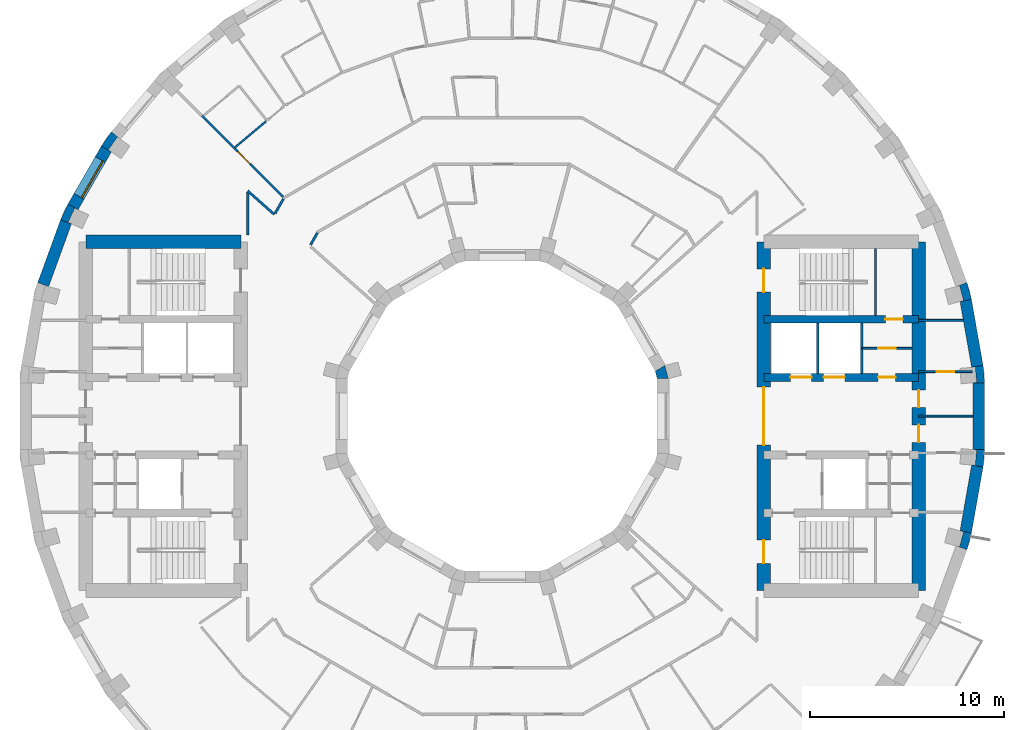
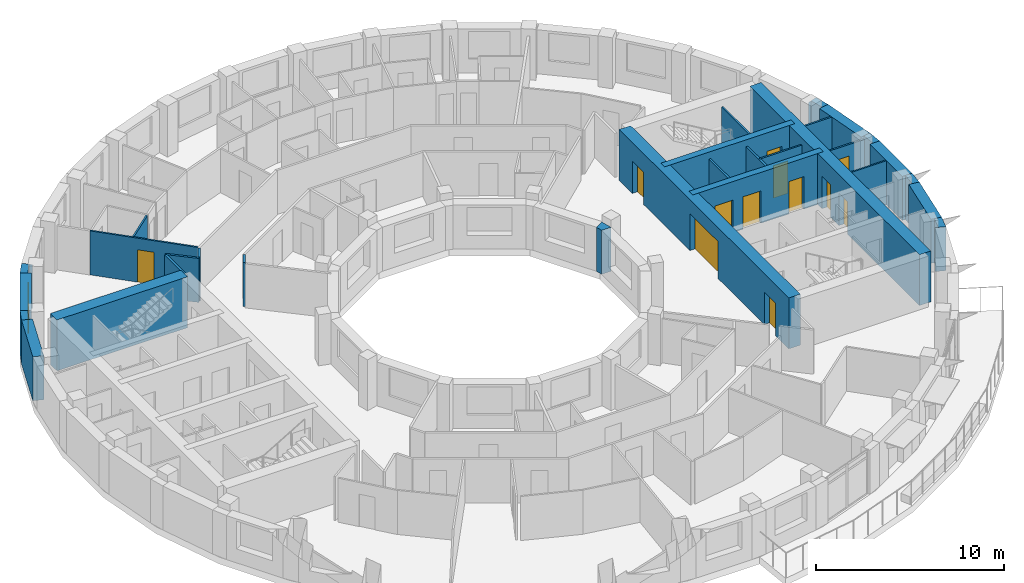
# One storey, part 10 of 15: 30 walls, 12 doors, 1 window, 13 openings.
"""IFC4 building model written with IfcOpenShell, lengths in metres."""

from ifc_helpers import new_model, si_unit, direction, frame, frame_2d, origin, place, context, subcontext, project, spatial, polyline, rectangle, outline, extrude, material, layer, layer_set, type_object, element, fill, save


model = new_model("IFC4")

# Units and contexts
model_context = context("Model", 3, precision=1e-05, world=origin(), true_north=direction((0.0, 1.0)))
body_context = subcontext(model_context, "Body", "Model", "MODEL_VIEW")
ifc_project = project(units=[si_unit("LENGTHUNIT", "METRE"), si_unit("AREAUNIT", "SQUARE_METRE"), si_unit("VOLUMEUNIT", "CUBIC_METRE"), si_unit("PLANEANGLEUNIT", "RADIAN"), si_unit("MASSUNIT", "GRAM", prefix="KILO")], contexts=[model_context])

# Site, building, storey
site_placement = place(None, origin())
site = spatial("IfcSite", under=ifc_project, at=site_placement, CompositionType="ELEMENT")
building_placement = place(site_placement, origin())
building = spatial("IfcBuilding", under=site, at=building_placement, Name="Saqina Gate Tower", CompositionType="ELEMENT")
storey_placement = place(building_placement, frame((0.0, 0.0, 167.39990234375)))
storey = spatial("IfcBuildingStorey", under=building, at=storey_placement, Name="L47", CompositionType="ELEMENT", Elevation=167.39990234375)

# Walls
ifc_material_1 = material(Name="Brick masonry (buff)", Category="masonry")
wall_type_1 = type_object("IfcWallType", Name="BRICK PIER COPING BUFF", PredefinedType="SOLIDWALL", material=ifc_material_1)
wall_1_placement = place(storey_placement, origin())
element("IfcWall", 1, at=wall_1_placement, inside=storey, type_object=wall_type_1, Name="Pier cap L47 column 1", PredefinedType="SOLIDWALL", context=body_context, shape_type="SweptSolid", body=[
    extrude(outline(polyline([(24.90478515625, 1.724853515625), (24.825927734375, 2.6259765625), (24.235107421875, 2.521728515625), (24.421630859375, 2.5380859375), (24.491455078125, 1.7412109375), (24.304931640625, 1.724853515625), (24.90478515625, 1.724853515625)])), origin(), (0.0, 0.0, 1.0), 2.85009765625),
])
wall_2_placement = place(storey_placement, origin())
element("IfcWall", 2, at=wall_2_placement, inside=storey, type_object=wall_type_1, Name="Pier cap L47 column 2", PredefinedType="SOLIDWALL", context=body_context, shape_type="SweptSolid", body=[
    extrude(outline(polyline([(24.22705078125, 6.0234375), (23.992919921875, 6.897216796875), (23.428955078125, 6.69189453125), (23.610107421875, 6.740478515625), (23.81689453125, 5.967529296875), (23.635986328125, 5.919189453125), (24.22705078125, 6.0234375)])), origin(), (0.0, 0.0, 1.0), 2.85009765625),
])
wall_3_placement = place(storey_placement, origin())
element("IfcWall", 3, at=wall_3_placement, inside=storey, type_object=wall_type_1, Name="Pier cap L47 column 15", PredefinedType="SOLIDWALL", context=body_context, shape_type="SweptSolid", body=[
    extrude(outline(polyline([(-20.18701171875, 14.687255859375), (-20.705810546875, 13.9462890625), (-20.186279296875, 13.646240234375), (-20.339599609375, 13.753662109375), (-19.880859375, 14.408935546875), (-19.727294921875, 14.301513671875), (-20.18701171875, 14.687255859375)])), origin(), (0.0, 0.0, 1.0), 2.85009765625),
])
wall_4_placement = place(storey_placement, origin())
element("IfcWall", 4, at=wall_4_placement, inside=storey, type_object=wall_type_1, Name="Pier cap L47 column 16", PredefinedType="SOLIDWALL", context=body_context, shape_type="SweptSolid", body=[
    extrude(outline(polyline([(-22.81298828125, 10.138916015625), (-22.249267578125, 9.93359375), (-22.4189453125, 10.0126953125), (-22.080810546875, 10.73779296875), (-21.9111328125, 10.65869140625), (-22.4306640625, 10.958740234375), (-22.81298828125, 10.138916015625)])), origin(), (0.0, 0.0, 1.0), 2.85009765625),
])
wall_5_placement = place(storey_placement, origin())
element("IfcWall", 5, at=wall_5_placement, inside=storey, type_object=wall_type_1, Name="Pier cap L47 column 35", PredefinedType="SOLIDWALL", context=body_context, shape_type="SweptSolid", body=[
    extrude(outline(polyline([(24.22705078125, -6.0234375), (23.635986328125, -5.919189453125), (23.81689453125, -5.967529296875), (23.610107421875, -6.740478515625), (23.428955078125, -6.69189453125), (23.992919921875, -6.897216796875), (24.22705078125, -6.0234375)])), origin(), (0.0, 0.0, 1.0), 2.85009765625),
])
wall_6_placement = place(storey_placement, origin())
element("IfcWall", 6, at=wall_6_placement, inside=storey, type_object=wall_type_1, Name="Pier cap L47 column 36", PredefinedType="SOLIDWALL", context=body_context, shape_type="SweptSolid", body=[
    extrude(outline(polyline([(24.825927734375, -2.6259765625), (24.90478515625, -1.724853515625), (24.304931640625, -1.724853515625), (24.491455078125, -1.7412109375), (24.421630859375, -2.5380859375), (24.235107421875, -2.521728515625), (24.825927734375, -2.6259765625)])), origin(), (0.0, 0.0, 1.0), 2.85009765625),
])
ifc_material_2 = material(Name="Gypsum board on steel studs", Category="steel")
ifc_layer_1 = layer(ifc_material_2, 0.10009765625)
ifc_layer_set_1 = layer_set([ifc_layer_1], Name="CORE PARTITION")
wall_type_2 = type_object("IfcWallType", Name="CORE PARTITION", PredefinedType="PARTITIONING", material=ifc_layer_set_1)
wall_7_placement = place(storey_placement, frame((21.5, 4.949951171875, 0.0), z_axis=(0.0, 0.0, 1.0), x_axis=(1.0, 0.0, 0.0)))
element("IfcWall", 7, at=wall_7_placement, inside=storey, type_object=wall_type_2, Name="L47-CP-E01", PredefinedType="PARTITIONING", context=body_context, shape_type="SweptSolid", body=[
    extrude(rectangle(XDim=2.306884765625, YDim=0.10009765625, at=frame_2d((1.1533203125, 0.0))), origin(), (0.0, 0.0, 1.0), 2.85009765625),
])

# Wall, opening, door
wall_8_placement = place(storey_placement, frame((21.5, 2.300048828125, 0.0), z_axis=(0.0, 0.0, 1.0), x_axis=(1.0, 0.0, 0.0)))
wall_8 = element("IfcWall", 8, at=wall_8_placement, inside=storey, type_object=wall_type_2, Name="L47-CP-E02", PredefinedType="PARTITIONING", context=body_context, shape_type="SweptSolid", body=[
    extrude(rectangle(XDim=2.774169921875, YDim=0.10009765625, at=frame_2d((1.38720703125, 0.0))), origin(), (0.0, 0.0, 1.0), 2.85009765625),
])
opening_1_placement = place(wall_8_placement, frame((0.93701171875, 0.0, 0.0)))
opening_1 = element("IfcOpeningElement", 9, at=opening_1_placement, cuts=wall_8, Name="Opening G13-D95", PredefinedType="OPENING", context=body_context, shape_type="SweptSolid", body=[
    extrude(rectangle(XDim=0.89990234375, YDim=2.10009765625, at=frame_2d((0.449951171875, 1.050048828125))), frame((0.0, 0.06201171875, 0.0), z_axis=(0.0, -1.0, 0.0), x_axis=(1.0, 0.0, 0.0)), (0.0, 0.0, 1.0), 0.1240234375),
])
ifc_material_3 = material(Name="Steel-framed fire door leaf, EI 60", Category="steel")
door_type_1 = type_object("IfcDoorType", Name="SERVICE ROOM DOOR 900", OperationType="SINGLE_SWING_LEFT", PredefinedType="DOOR", material=ifc_material_3)
door_1_placement = place(opening_1_placement, origin())
door_1 = element("IfcDoor", 10, at=door_1_placement, inside=storey, type_object=door_type_1, Name="L47-CD-E05", OperationType="SINGLE_SWING_LEFT", OverallHeight=2.10009765625, OverallWidth=0.89990234375, PredefinedType="DOOR", context=body_context, shape_type="SweptSolid", body=[
    extrude(rectangle(XDim=0.89990234375, YDim=2.10009765625, at=frame_2d((0.449951171875, 1.050048828125))), frame((0.0, 0.02490234375, 0.0), z_axis=(0.0, -1.0, 0.0), x_axis=(1.0, 0.0, 0.0)), (0.0, 0.0, 1.0), 0.050048828125),
])
fill(opening_1, door_1)

# Wall
wall_9_placement = place(storey_placement, frame((21.5, 0.0, 0.0), z_axis=(0.0, 0.0, 1.0), x_axis=(1.0, 0.0, 0.0)))
element("IfcWall", 11, at=wall_9_placement, inside=storey, type_object=wall_type_2, Name="L47-CP-E05", PredefinedType="PARTITIONING", context=body_context, shape_type="SweptSolid", body=[
    extrude(rectangle(XDim=2.804931640625, YDim=0.10009765625, at=frame_2d((1.40234375, 0.0))), origin(), (0.0, 0.0, 1.0), 2.85009765625),
])

# Wall, opening, door
wall_10_placement = place(storey_placement, frame((18.56005859375, 3.5, 0.0), z_axis=(0.0, 0.0, 1.0), x_axis=(1.0, 0.0, 0.0)))
wall_10 = element("IfcWall", 12, at=wall_10_placement, inside=storey, type_object=wall_type_2, Name="L47-CP-E11", PredefinedType="PARTITIONING", context=body_context, shape_type="SweptSolid", body=[
    extrude(rectangle(XDim=2.58984375, YDim=0.10009765625, at=frame_2d((1.294921875, 0.0))), origin(), (0.0, 0.0, 1.0), 2.85009765625),
])
opening_2_placement = place(wall_10_placement, frame((0.844970703125, 0.0, 0.0)))
opening_2 = element("IfcOpeningElement", 13, at=opening_2_placement, cuts=wall_10, Name="Opening G13-D125", PredefinedType="OPENING", context=body_context, shape_type="SweptSolid", body=[
    extrude(rectangle(XDim=0.89990234375, YDim=2.10009765625, at=frame_2d((0.449951171875, 1.050048828125))), frame((0.0, 0.06201171875, 0.0), z_axis=(0.0, -1.0, 0.0), x_axis=(1.0, 0.0, 0.0)), (0.0, 0.0, 1.0), 0.1240234375),
])
door_2_placement = place(opening_2_placement, origin())
door_2 = element("IfcDoor", 14, at=door_2_placement, inside=storey, type_object=door_type_1, Name="L47-CD-E09", OperationType="SINGLE_SWING_RIGHT", OverallHeight=2.10009765625, OverallWidth=0.89990234375, PredefinedType="DOOR", context=body_context, shape_type="SweptSolid", body=[
    extrude(rectangle(XDim=0.89990234375, YDim=2.10009765625, at=frame_2d((0.449951171875, 1.050048828125))), frame((0.0, 0.02490234375, 0.0), z_axis=(0.0, -1.0, 0.0), x_axis=(1.0, 0.0, 0.0)), (0.0, 0.0, 1.0), 0.050048828125),
])
fill(opening_2, door_2)

# Wall, opening, window
ifc_material_4 = material(Name="Brick masonry (buff)", Category="masonry")
ifc_layer_2 = layer(ifc_material_4, 0.60009765625)
ifc_layer_set_2 = layer_set([ifc_layer_2], Name="FW-BRICK-BUFF")
wall_type_3 = type_object("IfcWallType", Name="FW-BRICK-BUFF", PredefinedType="SOLIDWALL", material=ifc_layer_set_2)
wall_11_placement = place(storey_placement, frame((-20.446044921875, 13.796142578125, 0.0), z_axis=(0.0, 0.0, 1.0), x_axis=(-0.499998129301, -0.86602648383, 0.0)))
wall_11 = element("IfcWall", 15, at=wall_11_placement, inside=storey, type_object=wall_type_3, Name="Facade wall L47 facet 15", PredefinedType="SOLIDWALL", context=body_context, shape_type="SweptSolid", body=[
    extrude(rectangle(XDim=3.44970703125, YDim=0.60009765625, at=frame_2d((1.724853515625, 0.0))), origin(), (0.0, 0.0, 1.0), 2.85009765625),
])
opening_3_placement = place(wall_11_placement, frame((0.625, 0.0, 0.89990234375)))
opening_3 = element("IfcOpeningElement", 16, at=opening_3_placement, cuts=wall_11, Name="Opening G13-W13", PredefinedType="OPENING", context=body_context, shape_type="SweptSolid", body=[
    extrude(rectangle(XDim=2.199951171875, YDim=1.800048828125, at=frame_2d((1.10009765625, 0.89990234375))), frame((0.0, 0.31201171875, 0.0), z_axis=(0.0, -1.0, 0.0), x_axis=(1.0, 0.0, 0.0)), (0.0, 0.0, 1.0), 0.6240234375),
])
ifc_material_5 = material(Name="Aluminium glazing", Category="aluminium")
window_type = type_object("IfcWindowType", Name="WN-C", PartitioningType="SINGLE_PANEL", PredefinedType="WINDOW", material=ifc_material_5)
window_placement = place(opening_3_placement, origin())
window = element("IfcWindow", 17, at=window_placement, inside=storey, type_object=window_type, Name="Window L47 facet 15", OverallHeight=1.800048828125, OverallWidth=2.199951171875, PartitioningType="SINGLE_PANEL", PredefinedType="WINDOW", context=body_context, shape_type="SweptSolid", body=[
    extrude(rectangle(XDim=2.199951171875, YDim=1.800048828125, at=frame_2d((1.10009765625, 0.89990234375))), frame((0.0, 0.179931640625, 0.0), z_axis=(0.0, -1.0, 0.0), x_axis=(1.0, 0.0, 0.0)), (0.0, 0.0, 1.0), 0.06005859375),
])
fill(opening_3, window)

# Walls
ifc_material_6 = material(Name="Glazed ceramic tile", Category="ceramic")
ifc_layer_3 = layer(ifc_material_6, 0.60009765625)
ifc_layer_set_3 = layer_set([ifc_layer_3], Name="FW-TILE")
wall_type_4 = type_object("IfcWallType", Name="FW-TILE", PredefinedType="SOLIDWALL", material=ifc_layer_set_3)
for number, where, z_axis, x_axis, name in (
    (18, (-22.531005859375, 10.0361328125, 0.0), (0.0, 0.0, 1.0), (-0.342032843455, -0.93968799822, 0.0), "Facade wall L47 facet 16"),
    (19, (24.60498046875, -1.724853515625, 0.0), (0.0, 0.0, 1.0), (0.0, 1.0, 0.0), "Facade wall L47 facet 36"),
):
    element("IfcWall", number, at=place(storey_placement, frame(where, z_axis=z_axis, x_axis=x_axis)), inside=storey, type_object=wall_type_4, Name=name, PredefinedType="SOLIDWALL", context=body_context, shape_type="SweptSolid", body=[
        extrude(rectangle(XDim=3.44970703125, YDim=0.60009765625, at=frame_2d((1.724853515625, 0.0))), origin(), (0.0, 0.0, 1.0), 2.85009765625),
    ])
ifc_material_7 = material(Name="Glazed ceramic tile (dark blue)", Category="ceramic")
ifc_layer_4 = layer(ifc_material_7, 0.60009765625)
ifc_layer_set_4 = layer_set([ifc_layer_4], Name="FW-TILE-CB")
wall_type_5 = type_object("IfcWallType", Name="FW-TILE-CB", PredefinedType="SOLIDWALL", material=ifc_layer_set_4)
wall_12_placement = place(storey_placement, frame((23.931640625, -5.97119140625, 0.0), z_axis=(0.0, 0.0, 1.0), x_axis=(0.173607684551, 0.984814892183, 0.0)))
element("IfcWall", 20, at=wall_12_placement, inside=storey, type_object=wall_type_5, Name="Facade wall L47 facet 35", PredefinedType="SOLIDWALL", context=body_context, shape_type="SweptSolid", body=[
    extrude(rectangle(XDim=3.44970703125, YDim=0.60009765625, at=frame_2d((1.724853515625, 0.0))), origin(), (0.0, 0.0, 1.0), 2.85009765625),
])
ifc_material_8 = material(Name="Glazed ceramic tile (white)", Category="ceramic")
ifc_layer_5 = layer(ifc_material_8, 0.60009765625)
ifc_layer_set_5 = layer_set([ifc_layer_5], Name="FW-TILE-WH")
wall_type_6 = type_object("IfcWallType", Name="FW-TILE-WH", PredefinedType="SOLIDWALL", material=ifc_layer_set_5)
wall_13_placement = place(storey_placement, frame((24.530517578125, 2.573974609375, 0.0), z_axis=(0.0, 0.0, 1.0), x_axis=(-0.173607684551, 0.984814892183, 0.0)))
element("IfcWall", 21, at=wall_13_placement, inside=storey, type_object=wall_type_6, Name="Facade wall L47 facet 1", PredefinedType="SOLIDWALL", context=body_context, shape_type="SweptSolid", body=[
    extrude(rectangle(XDim=3.44970703125, YDim=0.60009765625, at=frame_2d((1.724853515625, 0.0))), origin(), (0.0, 0.0, 1.0), 2.85009765625),
])

# Wall, opening, door
ifc_material_9 = material(Name="Gypsum board on steel studs, 100 mm", Category="steel")
ifc_layer_6 = layer(ifc_material_9, 0.10009765625)
ifc_layer_set_6 = layer_set([ifc_layer_6], Name="PARTITION 100")
wall_type_7 = type_object("IfcWallType", Name="PARTITION 100", PredefinedType="PARTITIONING", material=ifc_layer_set_6)
wall_14_placement = place(storey_placement, frame((-15.51220703125, 15.51220703125, 0.0), z_axis=(0.0, 0.0, 1.0), x_axis=(0.707106781187, -0.707106781187, 0.0)))
wall_14 = element("IfcWall", 22, at=wall_14_placement, inside=storey, type_object=wall_type_7, Name="PARTITION PW3-18", PredefinedType="PARTITIONING", context=body_context, shape_type="SweptSolid", body=[
    extrude(rectangle(XDim=5.931396484375, YDim=0.10009765625, at=frame_2d((2.9658203125, 0.0))), origin(), (0.0, 0.0, 1.0), 2.85009765625),
])
opening_4_placement = place(wall_14_placement, frame((2.6171875, 0.0, 0.0)))
opening_4 = element("IfcOpeningElement", 23, at=opening_4_placement, cuts=wall_14, Name="Opening G13-D26", PredefinedType="OPENING", context=body_context, shape_type="SweptSolid", body=[
    extrude(rectangle(XDim=0.89990234375, YDim=2.10009765625, at=frame_2d((0.449951171875, 1.050048828125))), frame((0.0, 0.06201171875, 0.0), z_axis=(0.0, -1.0, 0.0), x_axis=(1.0, 0.0, 0.0)), (0.0, 0.0, 1.0), 0.1240234375),
])
ifc_material_10 = material(Name="Timber door leaf, 900 mm", Category="wood")
door_type_2 = type_object("IfcDoorType", Name="DOOR 900 TIMBER", OperationType="SINGLE_SWING_LEFT", PredefinedType="DOOR", material=ifc_material_10)
door_3_placement = place(opening_4_placement, frame((0.89990234375, 0.0, 0.0), z_axis=(0.0, 0.0, 1.0), x_axis=(-1.0, 0.0, 0.0)))
door_3 = element("IfcDoor", 24, at=door_3_placement, inside=storey, type_object=door_type_2, Name="DOOR G13-D26", OperationType="SINGLE_SWING_LEFT", OverallHeight=2.10009765625, OverallWidth=0.89990234375, PredefinedType="DOOR", context=body_context, shape_type="SweptSolid", body=[
    extrude(rectangle(XDim=0.89990234375, YDim=2.10009765625, at=frame_2d((0.449951171875, 1.050048828125))), frame((0.0, 0.02490234375, 0.0), z_axis=(0.0, -1.0, 0.0), x_axis=(1.0, 0.0, 0.0)), (0.0, 0.0, 1.0), 0.050048828125),
])
fill(opening_4, door_3)

# Walls
wall_15_placement = place(storey_placement, frame((-13.806396484375, 13.87744140625, 0.0), z_axis=(0.0, 0.0, 1.0), x_axis=(0.766093288455, 0.64272939359, 0.0)))
element("IfcWall", 25, at=wall_15_placement, inside=storey, type_object=wall_type_7, Name="PARTITION PW3-50", PredefinedType="PARTITIONING", context=body_context, shape_type="SweptSolid", body=[
    extrude(rectangle(XDim=2.091796875, YDim=0.10009765625, at=frame_2d((1.0458984375, 0.0))), origin(), (0.0, 0.0, 1.0), 2.85009765625),
])
ifc_material_11 = material(Name="Gypsum board on steel studs, 125 mm, fire rated", Category="steel")
ifc_layer_7 = layer(ifc_material_11, 0.125)
ifc_layer_set_7 = layer_set([ifc_layer_7], Name="PARTITION EI 30 125")
wall_type_8 = type_object("IfcWallType", Name="PARTITION EI 30 125", PredefinedType="PARTITIONING", material=ifc_layer_set_7)
wall_16_placement = place(storey_placement, frame((-13.14990234375, 11.634033203125, 0.0), z_axis=(0.0, 0.0, 1.0), x_axis=(0.748920683101, -0.662659649008, 0.0)))
element("IfcWall", 26, at=wall_16_placement, inside=storey, type_object=wall_type_8, Name="PARTITION PW1-06", PredefinedType="PARTITIONING", context=body_context, shape_type="SweptSolid", body=[
    extrude(rectangle(XDim=1.842529296875, YDim=0.125, at=frame_2d((0.92138671875, 0.0))), origin(), (0.0, 0.0, 1.0), 2.85009765625),
])
wall_17_placement = place(storey_placement, frame((-9.90478515625, 8.84521484375, 0.0), z_axis=(0.0, 0.0, 1.0), x_axis=(0.499821239653, 0.866128586522, 0.0)))
element("IfcWall", 27, at=wall_17_placement, inside=storey, type_object=wall_type_8, Name="PARTITION PW1-35", PredefinedType="PARTITIONING", context=body_context, shape_type="SweptSolid", body=[
    extrude(rectangle(XDim=0.713134765625, YDim=0.125, at=frame_2d((0.3564453125, 0.0))), origin(), (0.0, 0.0, 1.0), 2.85009765625),
])
wall_18_placement = place(storey_placement, frame((-11.73681640625, 10.466064453125, 0.0), z_axis=(0.0, 0.0, 1.0), x_axis=(0.49949531882, 0.866316585595, 0.0)))
element("IfcWall", 28, at=wall_18_placement, inside=storey, type_object=wall_type_8, Name="PARTITION PW1-36", PredefinedType="PARTITIONING", context=body_context, shape_type="SweptSolid", body=[
    extrude(rectangle(XDim=0.86865234375, YDim=0.125, at=frame_2d((0.434326171875, 0.0))), origin(), (0.0, 0.0, 1.0), 2.85009765625),
])
wall_19_placement = place(storey_placement, frame((-13.14990234375, 9.35009765625, 0.0), z_axis=(0.0, 0.0, 1.0), x_axis=(0.0, 1.0, 0.0)))
element("IfcWall", 29, at=wall_19_placement, inside=storey, type_object=wall_type_8, Name="PARTITION PW1-41", PredefinedType="PARTITIONING", context=body_context, shape_type="SweptSolid", body=[
    extrude(rectangle(XDim=2.221435546875, YDim=0.125, at=frame_2d((1.11083984375, 0.0))), origin(), (0.0, 0.0, 1.0), 2.85009765625),
])
ifc_material_12 = material(Name="Autoclaved aerated concrete block", Category="concrete")
ifc_layer_8 = layer(ifc_material_12, 0.1201171875)
ifc_layer_set_8 = layer_set([ifc_layer_8], Name="SHAFT PARTITION")
wall_type_9 = type_object("IfcWallType", Name="SHAFT PARTITION", PredefinedType="PARTITIONING", material=ifc_layer_set_8)
for number, where, z_axis, x_axis, name in (
    (30, (16.280029296875, 2.199951171875, 0.0), (0.0, 0.0, 1.0), (0.0, 1.0, 0.0), "L47-CP-E06"),
    (31, (18.56005859375, 2.199951171875, 0.0), (0.0, 0.0, 1.0), (0.0, 1.0, 0.0), "L47-CP-E07"),
):
    element("IfcWall", number, at=place(storey_placement, frame(where, z_axis=z_axis, x_axis=x_axis)), inside=storey, type_object=wall_type_9, Name=name, PredefinedType="PARTITIONING", context=body_context, shape_type="SweptSolid", body=[
        extrude(rectangle(XDim=2.60009765625, YDim=0.1201171875, at=frame_2d((1.300048828125, 0.0))), origin(), (0.0, 0.0, 1.0), 2.85009765625),
    ])
ifc_material_13 = material(Name="Autoclaved aerated concrete block", Category="concrete")
ifc_layer_9 = layer(ifc_material_13, 0.10009765625)
ifc_layer_set_9 = layer_set([ifc_layer_9], Name="STAIR ENCLOSURE WALL")
wall_type_10 = type_object("IfcWallType", Name="STAIR ENCLOSURE WALL", PredefinedType="PARTITIONING", material=ifc_layer_set_9)
wall_20_placement = place(storey_placement, frame((19.27001953125, 5.199951171875, 0.0), z_axis=(0.0, 0.0, 1.0), x_axis=(0.0, 1.0, 0.0)))
element("IfcWall", 32, at=wall_20_placement, inside=storey, type_object=wall_type_10, Name="L47-CP-E14", PredefinedType="PARTITIONING", context=body_context, shape_type="SweptSolid", body=[
    extrude(rectangle(XDim=3.449951171875, YDim=0.10009765625, at=frame_2d((1.72509765625, 0.0))), origin(), (0.0, 0.0, 1.0), 2.85009765625),
])

# Wall, opening, door
ifc_material_14 = material(Name="Concrete C60/75", Category="concrete")
ifc_layer_10 = layer(ifc_material_14, 0.39990234375)
ifc_layer_set_10 = layer_set([ifc_layer_10], Name="Concrete C60/75")
wall_type_11 = type_object("IfcWallType", Name="STR-CORE WALL-C-I", PredefinedType="SHEAR", material=ifc_layer_set_10)
wall_21_placement = place(storey_placement, frame((13.5, 5.0, 0.0), z_axis=(0.0, 0.0, 1.0), x_axis=(1.0, 0.0, 0.0)))
wall_21 = element("IfcWall", 33, at=wall_21_placement, inside=storey, type_object=wall_type_11, Name="CORE WALL L47 E-X1", PredefinedType="SHEAR", context=body_context, shape_type="SweptSolid", body=[
    extrude(rectangle(XDim=8.0, YDim=0.39990234375, at=frame_2d((4.0, 0.0))), origin(), (0.0, 0.0, 1.0), 3.300048828125),
])
opening_5_placement = place(wall_21_placement, frame((6.284912109375, 0.0, 0.0)))
opening_5 = element("IfcOpeningElement", 34, at=opening_5_placement, cuts=wall_21, Name="Opening G13-D126", PredefinedType="OPENING", context=body_context, shape_type="SweptSolid", body=[
    extrude(rectangle(XDim=0.89990234375, YDim=2.10009765625, at=frame_2d((0.449951171875, 1.050048828125))), frame((0.0, 0.2119140625, 0.0), z_axis=(0.0, -1.0, 0.0), x_axis=(1.0, 0.0, 0.0)), (0.0, 0.0, 1.0), 0.423828125),
])
door_4_placement = place(opening_5_placement, origin())
door_4 = element("IfcDoor", 35, at=door_4_placement, inside=storey, type_object=door_type_1, Name="L47-CD-E10", OperationType="SINGLE_SWING_RIGHT", OverallHeight=2.10009765625, OverallWidth=0.89990234375, PredefinedType="DOOR", context=body_context, shape_type="SweptSolid", body=[
    extrude(rectangle(XDim=0.89990234375, YDim=2.10009765625, at=frame_2d((0.449951171875, 1.050048828125))), frame((0.0, 0.02490234375, 0.0), z_axis=(0.0, -1.0, 0.0), x_axis=(1.0, 0.0, 0.0)), (0.0, 0.0, 1.0), 0.050048828125),
])
fill(opening_5, door_4)

# Wall, openings, doors
wall_22_placement = place(storey_placement, frame((13.5, 2.0, 0.0), z_axis=(0.0, 0.0, 1.0), x_axis=(1.0, 0.0, 0.0)))
wall_22 = element("IfcWall", 36, at=wall_22_placement, inside=storey, type_object=wall_type_11, Name="CORE WALL L47 E-L1", PredefinedType="SHEAR", context=body_context, shape_type="SweptSolid", body=[
    extrude(rectangle(XDim=8.0, YDim=0.39990234375, at=frame_2d((4.0, 0.0))), origin(), (0.0, 0.0, 1.0), 3.300048828125),
])
opening_6_placement = place(wall_22_placement, frame((1.3701171875, 0.0, 0.0)))
opening_6 = element("IfcOpeningElement", 37, at=opening_6_placement, cuts=wall_22, Name="Opening G13-LD1", PredefinedType="OPENING", context=body_context, shape_type="SweptSolid", body=[
    extrude(rectangle(XDim=1.10009765625, YDim=2.10009765625, at=frame_2d((0.550048828125, 1.050048828125))), frame((0.0, 0.2119140625, 0.0), z_axis=(0.0, -1.0, 0.0), x_axis=(1.0, 0.0, 0.0)), (0.0, 0.0, 1.0), 0.423828125),
])
opening_7_placement = place(wall_22_placement, frame((3.090087890625, 0.0, 0.0)))
opening_7 = element("IfcOpeningElement", 38, at=opening_7_placement, cuts=wall_22, Name="Opening G13-LD2", PredefinedType="OPENING", context=body_context, shape_type="SweptSolid", body=[
    extrude(rectangle(XDim=1.10009765625, YDim=2.10009765625, at=frame_2d((0.550048828125, 1.050048828125))), frame((0.0, 0.2119140625, 0.0), z_axis=(0.0, -1.0, 0.0), x_axis=(1.0, 0.0, 0.0)), (0.0, 0.0, 1.0), 0.423828125),
])
opening_8_placement = place(wall_22_placement, frame((5.905029296875, 0.0, 0.0)))
opening_8 = element("IfcOpeningElement", 39, at=opening_8_placement, cuts=wall_22, Name="Opening G13-D124", PredefinedType="OPENING", context=body_context, shape_type="SweptSolid", body=[
    extrude(rectangle(XDim=0.89990234375, YDim=2.10009765625, at=frame_2d((0.449951171875, 1.050048828125))), frame((0.0, 0.2119140625, 0.0), z_axis=(0.0, -1.0, 0.0), x_axis=(1.0, 0.0, 0.0)), (0.0, 0.0, 1.0), 0.423828125),
])
ifc_material_15 = material(Name="Stainless steel", Category="steel")
door_type_3 = type_object("IfcDoorType", Name="LANDING DOOR", OperationType="DOUBLE_DOOR_SLIDING", PredefinedType="DOOR", material=ifc_material_15)
door_5_placement = place(opening_6_placement, origin())
door_5 = element("IfcDoor", 40, at=door_5_placement, inside=storey, type_object=door_type_3, Name="LANDING DOOR HR1", OperationType="DOUBLE_DOOR_SLIDING", OverallHeight=2.10009765625, OverallWidth=1.10009765625, PredefinedType="DOOR", context=body_context, shape_type="SweptSolid", body=[
    extrude(rectangle(XDim=1.10009765625, YDim=2.10009765625, at=frame_2d((0.550048828125, 1.050048828125))), frame((0.0, 0.02490234375, 0.0), z_axis=(0.0, -1.0, 0.0), x_axis=(1.0, 0.0, 0.0)), (0.0, 0.0, 1.0), 0.050048828125),
])
fill(opening_6, door_5)
door_6_placement = place(opening_7_placement, origin())
door_6 = element("IfcDoor", 41, at=door_6_placement, inside=storey, type_object=door_type_3, Name="LANDING DOOR HR2", OperationType="DOUBLE_DOOR_SLIDING", OverallHeight=2.10009765625, OverallWidth=1.10009765625, PredefinedType="DOOR", context=body_context, shape_type="SweptSolid", body=[
    extrude(rectangle(XDim=1.10009765625, YDim=2.10009765625, at=frame_2d((0.550048828125, 1.050048828125))), frame((0.0, 0.02490234375, 0.0), z_axis=(0.0, -1.0, 0.0), x_axis=(1.0, 0.0, 0.0)), (0.0, 0.0, 1.0), 0.050048828125),
])
fill(opening_7, door_6)
door_7_placement = place(opening_8_placement, origin())
door_7 = element("IfcDoor", 42, at=door_7_placement, inside=storey, type_object=door_type_1, Name="L47-CD-E01", OperationType="SINGLE_SWING_RIGHT", OverallHeight=2.10009765625, OverallWidth=0.89990234375, PredefinedType="DOOR", context=body_context, shape_type="SweptSolid", body=[
    extrude(rectangle(XDim=0.89990234375, YDim=2.10009765625, at=frame_2d((0.449951171875, 1.050048828125))), frame((0.0, 0.02490234375, 0.0), z_axis=(0.0, -1.0, 0.0), x_axis=(1.0, 0.0, 0.0)), (0.0, 0.0, 1.0), 0.050048828125),
])
fill(opening_8, door_7)

ifc_material_16 = material(Name="Concrete C60/75", Category="concrete")
ifc_layer_11 = layer(ifc_material_16, 0.699951171875)
ifc_layer_set_11 = layer_set([ifc_layer_11], Name="Concrete C60/75")
wall_type_12 = type_object("IfcWallType", Name="STR-CORE WALL-C-O", PredefinedType="SHEAR", material=ifc_layer_set_11)
wall_23_placement = place(storey_placement, frame((13.5, -9.0, 0.0), z_axis=(0.0, 0.0, 1.0), x_axis=(0.0, 1.0, 0.0)))
wall_23 = element("IfcWall", 43, at=wall_23_placement, inside=storey, type_object=wall_type_12, Name="CORE WALL L47 E-W1", PredefinedType="SHEAR", context=body_context, shape_type="SweptSolid", body=[
    extrude(rectangle(XDim=18.0, YDim=0.699951171875, at=frame_2d((9.0, 0.0))), origin(), (0.0, 0.0, 1.0), 3.300048828125),
])
opening_9_placement = place(wall_23_placement, frame((15.39990234375, 0.0, 0.0)))
opening_9 = element("IfcOpeningElement", 44, at=opening_9_placement, cuts=wall_23, Name="Opening G13-D104", PredefinedType="OPENING", context=body_context, shape_type="SweptSolid", body=[
    extrude(rectangle(XDim=1.199951171875, YDim=2.10009765625, at=frame_2d((0.60009765625, 1.050048828125))), frame((0.0, 0.362060546875, 0.0), z_axis=(0.0, -1.0, 0.0), x_axis=(1.0, 0.0, 0.0)), (0.0, 0.0, 1.0), 0.723876953125),
])
opening_10_placement = place(wall_23_placement, frame((1.39990234375, 0.0, 0.0)))
opening_10 = element("IfcOpeningElement", 45, at=opening_10_placement, cuts=wall_23, Name="Opening G13-D105", PredefinedType="OPENING", context=body_context, shape_type="SweptSolid", body=[
    extrude(rectangle(XDim=1.199951171875, YDim=2.10009765625, at=frame_2d((0.60009765625, 1.050048828125))), frame((0.0, 0.362060546875, 0.0), z_axis=(0.0, -1.0, 0.0), x_axis=(1.0, 0.0, 0.0)), (0.0, 0.0, 1.0), 0.723876953125),
])
opening_11_placement = place(wall_23_placement, frame((7.5, 0.0, 0.0)))
opening_11 = element("IfcOpeningElement", 46, at=opening_11_placement, cuts=wall_23, Name="Opening G13-D106", PredefinedType="OPENING", context=body_context, shape_type="SweptSolid", body=[
    extrude(rectangle(XDim=3.0, YDim=2.39990234375, at=frame_2d((1.5, 1.199951171875))), frame((0.0, 0.362060546875, 0.0), z_axis=(0.0, -1.0, 0.0), x_axis=(1.0, 0.0, 0.0)), (0.0, 0.0, 1.0), 0.723876953125),
])
ifc_material_17 = material(Name="Steel", Category="steel")
door_type_4 = type_object("IfcDoorType", Name="FIRE DOOR EI 60", OperationType="SINGLE_SWING_LEFT", PredefinedType="DOOR", material=ifc_material_17)
door_8_placement = place(opening_9_placement, frame((1.199951171875, 0.0, 0.0), z_axis=(0.0, 0.0, 1.0), x_axis=(-1.0, 0.0, 0.0)))
door_8 = element("IfcDoor", 47, at=door_8_placement, inside=storey, type_object=door_type_4, Name="L47-CD-E15", OperationType="SINGLE_SWING_LEFT", OverallHeight=2.10009765625, OverallWidth=1.199951171875, PredefinedType="DOOR", context=body_context, shape_type="SweptSolid", body=[
    extrude(rectangle(XDim=1.199951171875, YDim=2.10009765625, at=frame_2d((0.60009765625, 1.050048828125))), frame((0.0, 0.02490234375, 0.0), z_axis=(0.0, -1.0, 0.0), x_axis=(1.0, 0.0, 0.0)), (0.0, 0.0, 1.0), 0.050048828125),
])
fill(opening_9, door_8)
door_9_placement = place(opening_10_placement, frame((1.199951171875, 0.0, 0.0), z_axis=(0.0, 0.0, 1.0), x_axis=(-1.0, 0.0, 0.0)))
door_9 = element("IfcDoor", 48, at=door_9_placement, inside=storey, type_object=door_type_4, Name="L47-CD-E16", OperationType="SINGLE_SWING_RIGHT", OverallHeight=2.10009765625, OverallWidth=1.199951171875, PredefinedType="DOOR", context=body_context, shape_type="SweptSolid", body=[
    extrude(rectangle(XDim=1.199951171875, YDim=2.10009765625, at=frame_2d((0.60009765625, 1.050048828125))), frame((0.0, 0.02490234375, 0.0), z_axis=(0.0, -1.0, 0.0), x_axis=(1.0, 0.0, 0.0)), (0.0, 0.0, 1.0), 0.050048828125),
])
fill(opening_10, door_9)
ifc_material_18 = material(Name="Steel and fire-resisting glass", Category="steel")
door_type_5 = type_object("IfcDoorType", Name="LOBBY SCREEN DOOR", OperationType="DOUBLE_DOOR_SLIDING", PredefinedType="DOOR", material=ifc_material_18)
door_10_placement = place(opening_11_placement, origin())
door_10 = element("IfcDoor", 49, at=door_10_placement, inside=storey, type_object=door_type_5, Name="L47-CD-E17", OperationType="DOUBLE_DOOR_SLIDING", OverallHeight=2.39990234375, OverallWidth=3.0, PredefinedType="DOOR", context=body_context, shape_type="SweptSolid", body=[
    extrude(rectangle(XDim=3.0, YDim=2.39990234375, at=frame_2d((1.5, 1.199951171875))), frame((0.0, 0.02490234375, 0.0), z_axis=(0.0, -1.0, 0.0), x_axis=(1.0, 0.0, 0.0)), (0.0, 0.0, 1.0), 0.050048828125),
])
fill(opening_11, door_10)

wall_24_placement = place(storey_placement, frame((21.5, -9.0, 0.0), z_axis=(0.0, 0.0, 1.0), x_axis=(0.0, 1.0, 0.0)))
wall_24 = element("IfcWall", 50, at=wall_24_placement, inside=storey, type_object=wall_type_12, Name="CORE WALL L47 E-W2", PredefinedType="SHEAR", context=body_context, shape_type="SweptSolid", body=[
    extrude(rectangle(XDim=18.0, YDim=0.699951171875, at=frame_2d((9.0, 0.0))), origin(), (0.0, 0.0, 1.0), 3.300048828125),
])
opening_12_placement = place(wall_24_placement, frame((9.449951171875, 0.0, 0.0)))
opening_12 = element("IfcOpeningElement", 51, at=opening_12_placement, cuts=wall_24, Name="Opening G13-D96", PredefinedType="OPENING", context=body_context, shape_type="SweptSolid", body=[
    extrude(rectangle(XDim=0.89990234375, YDim=2.10009765625, at=frame_2d((0.449951171875, 1.050048828125))), frame((0.0, 0.362060546875, 0.0), z_axis=(0.0, -1.0, 0.0), x_axis=(1.0, 0.0, 0.0)), (0.0, 0.0, 1.0), 0.723876953125),
])
opening_13_placement = place(wall_24_placement, frame((7.64990234375, 0.0, 0.0)))
opening_13 = element("IfcOpeningElement", 52, at=opening_13_placement, cuts=wall_24, Name="Opening G13-D98", PredefinedType="OPENING", context=body_context, shape_type="SweptSolid", body=[
    extrude(rectangle(XDim=0.89990234375, YDim=2.10009765625, at=frame_2d((0.449951171875, 1.050048828125))), frame((0.0, 0.362060546875, 0.0), z_axis=(0.0, -1.0, 0.0), x_axis=(1.0, 0.0, 0.0)), (0.0, 0.0, 1.0), 0.723876953125),
])
door_11_placement = place(opening_12_placement, frame((0.89990234375, 0.0, 0.0), z_axis=(0.0, 0.0, 1.0), x_axis=(-1.0, 0.0, 0.0)))
door_11 = element("IfcDoor", 53, at=door_11_placement, inside=storey, type_object=door_type_1, Name="L47-CD-E06", OperationType="SINGLE_SWING_RIGHT", OverallHeight=2.10009765625, OverallWidth=0.89990234375, PredefinedType="DOOR", context=body_context, shape_type="SweptSolid", body=[
    extrude(rectangle(XDim=0.89990234375, YDim=2.10009765625, at=frame_2d((0.449951171875, 1.050048828125))), frame((0.0, 0.02490234375, 0.0), z_axis=(0.0, -1.0, 0.0), x_axis=(1.0, 0.0, 0.0)), (0.0, 0.0, 1.0), 0.050048828125),
])
fill(opening_12, door_11)
door_12_placement = place(opening_13_placement, frame((0.89990234375, 0.0, 0.0), z_axis=(0.0, 0.0, 1.0), x_axis=(-1.0, 0.0, 0.0)))
door_12 = element("IfcDoor", 54, at=door_12_placement, inside=storey, type_object=door_type_1, Name="L47-CD-E08", OperationType="SINGLE_SWING_RIGHT", OverallHeight=2.10009765625, OverallWidth=0.89990234375, PredefinedType="DOOR", context=body_context, shape_type="SweptSolid", body=[
    extrude(rectangle(XDim=0.89990234375, YDim=2.10009765625, at=frame_2d((0.449951171875, 1.050048828125))), frame((0.0, 0.02490234375, 0.0), z_axis=(0.0, -1.0, 0.0), x_axis=(1.0, 0.0, 0.0)), (0.0, 0.0, 1.0), 0.050048828125),
])
fill(opening_13, door_12)

# Walls
wall_25_placement = place(storey_placement, frame((-13.5, 9.0, 0.0), z_axis=(0.0, 0.0, 1.0), x_axis=(-1.0, 0.0, 0.0)))
element("IfcWall", 55, at=wall_25_placement, inside=storey, type_object=wall_type_12, Name="CORE WALL L47 W-NE", PredefinedType="SHEAR", context=body_context, shape_type="SweptSolid", body=[
    extrude(rectangle(XDim=8.0, YDim=0.699951171875, at=frame_2d((4.0, 0.0))), origin(), (0.0, 0.0, 1.0), 3.300048828125),
])
ifc_material_19 = material(Name="Glazed ceramic tile", Category="ceramic")
wall_type_13 = type_object("IfcWallType", Name="TILE PIER COPING", PredefinedType="SOLIDWALL", material=ifc_material_19)
wall_26_placement = place(storey_placement, origin())
element("IfcWall", 56, at=wall_26_placement, inside=storey, type_object=wall_type_13, Name="Well pier cap L47 column 1", PredefinedType="SOLIDWALL", context=body_context, shape_type="SweptSolid", body=[
    extrude(outline(polyline([(8.392333984375, 2.611083984375), (7.895751953125, 2.32421875), (8.0, 1.934814453125), (8.573486328125, 1.934814453125), (8.392333984375, 2.611083984375)])), origin(), (0.0, 0.0, 1.0), 2.85009765625),
])

save(model, "model.ifc")
